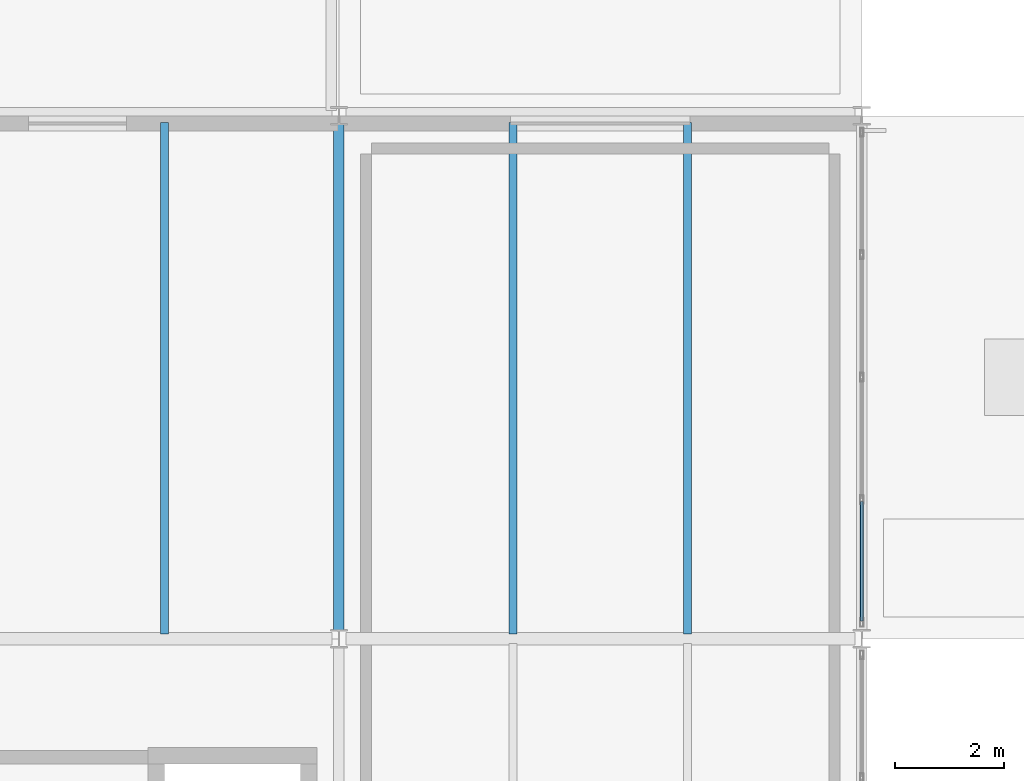
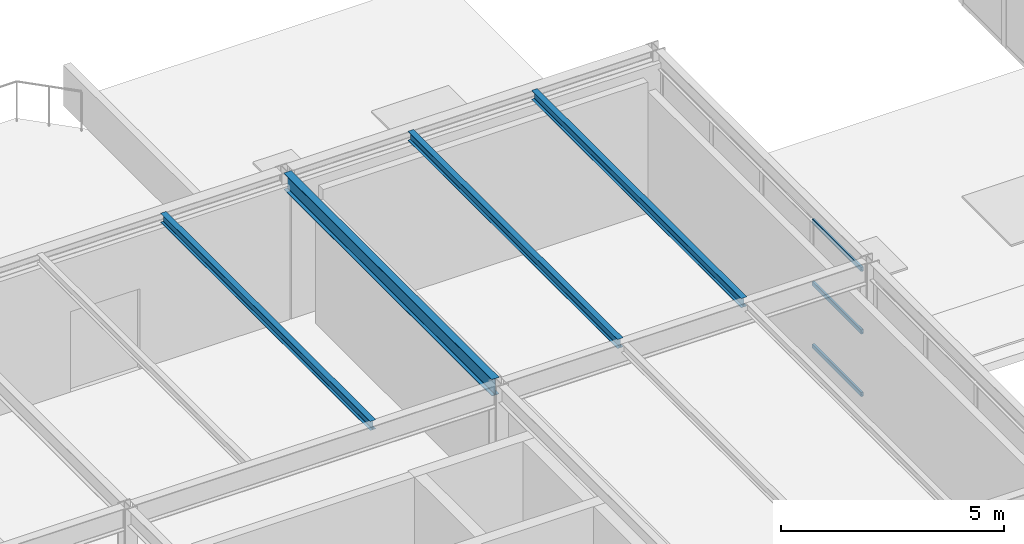
# One storey, part 36 of 126: 4 beams, 3 members, 1 element without a shape of its own.
"""IFC4 building model written with IfcOpenShell, lengths in metres."""

from ifc_helpers import new_model, si_unit, direction, frame, origin, origin_2d, place, context, subcontext, project, spatial, hollow_rectangle, i_section, extrude, material, material_profile, profile_set, type_object, element, aggregate, save


model = new_model("IFC4")

# Units and contexts
model_context = context("Model", 3, precision=1e-05, world=origin(), true_north=direction((0.0, 1.0)))
body_context = subcontext(model_context, "Body", "Model", "MODEL_VIEW")
ifc_project = project(units=[si_unit("LENGTHUNIT", "METRE"), si_unit("AREAUNIT", "SQUARE_METRE"), si_unit("VOLUMEUNIT", "CUBIC_METRE"), si_unit("PLANEANGLEUNIT", "RADIAN"), si_unit("MASSUNIT", "GRAM", prefix="KILO")], contexts=[model_context])

# Site, building, storey
site_placement = place(None, origin())
site = spatial("IfcSite", under=ifc_project, at=site_placement, CompositionType="ELEMENT")
building_placement = place(site_placement, origin())
building = spatial("IfcBuilding", under=site, at=building_placement, Name="Coralgate Yard Interchange", CompositionType="ELEMENT")
storey_placement = place(building_placement, frame((0.0, 0.0, 10.5)))
storey = spatial("IfcBuildingStorey", under=building, at=storey_placement, Name="L02", CompositionType="ELEMENT", Elevation=10.5)

# Beams
ifc_material_1 = material(Name="Structural steel S355J2", Category="steel")
ifc_material_profile_1 = material_profile(ifc_material_1, i_section(OverallWidth=0.1904296875, OverallDepth=0.45703125, WebThickness=0.009033203125, FlangeThickness=0.014404296875, FilletRadius=0.01025390625, at=origin_2d()), Name="UB 457x191x74")
ifc_profile_set_1 = profile_set([ifc_material_profile_1], Name="Structural steel S355J2")
beam_type_1 = type_object("IfcBeamType", Name="BM-SB-2", PredefinedType="BEAM", material=ifc_profile_set_1)
beam_placement = place(storey_placement, frame((19.199951171875, 38.539794921875, 3.721435546875), z_axis=(0.0, 1.0, 0.0), x_axis=(-1.0, 0.0, 0.0)))
element("IfcBeam", 1, at=beam_placement, inside=storey, type_object=beam_type_1, Name="L02 primary grid girder X2 Y4-5", PredefinedType="BEAM", context=body_context, shape_type="SweptSolid", body=[
    extrude(i_section(OverallWidth=0.1904296875, OverallDepth=0.45703125, WebThickness=0.009033203125, FlangeThickness=0.014404296875, FilletRadius=0.01025390625, at=origin_2d()), origin(), (0.0, 0.0, 1.0), 9.3203125),
])
ifc_material_profile_2 = material_profile(ifc_material_1, i_section(OverallWidth=0.14599609375, OverallDepth=0.25146484375, WebThickness=0.006103515625, FlangeThickness=0.008544921875, FilletRadius=0.007568359375, at=origin_2d()), Name="UB 254x146x31")
ifc_profile_set_2 = profile_set([ifc_material_profile_2], Name="Structural steel S355J2")
beam_type_2 = type_object("IfcBeamType", Name="BM-SJ-2", PredefinedType="JOIST", material=ifc_profile_set_2)
for number, where, z_axis, x_axis, name in (
    (2, (16.0, 38.484130859375, 3.82421875), (0.0, 1.0, 0.0), (-1.0, 0.0, 0.0), "L02 composite floor joist 1-4-2"),
    (3, (22.39990234375, 38.484130859375, 3.82421875), (0.0, 1.0, 0.0), (-1.0, 0.0, 0.0), "L02 composite floor joist 2-4-1"),
    (4, (25.60009765625, 38.484130859375, 3.82421875), (0.0, 1.0, 0.0), (-1.0, 0.0, 0.0), "L02 composite floor joist 2-4-2"),
):
    element("IfcBeam", number, at=place(storey_placement, frame(where, z_axis=z_axis, x_axis=x_axis)), inside=storey, type_object=beam_type_2, Name=name, PredefinedType="JOIST", context=body_context, shape_type="SweptSolid", body=[
        extrude(i_section(OverallWidth=0.14599609375, OverallDepth=0.25146484375, WebThickness=0.006103515625, FlangeThickness=0.008544921875, FilletRadius=0.007568359375, at=origin_2d()), origin(), (0.0, 0.0, 1.0), 9.395751953125),
    ])

# Curtain wall, members
ifc_material_2 = material(Name="Anodised coastal aluminium and solar-control low-E glass", Category="aluminium")
curtain_wall_type = type_object("IfcCurtainWallType", Name="CW-CW-L02-A", PredefinedType="NOTDEFINED", material=ifc_material_2)
curtain_wall_placement = place(storey_placement, origin())
curtain_wall = element("IfcCurtainWall", 5, at=curtain_wall_placement, inside=storey, type_object=curtain_wall_type, Name="L02 unitised curtain wall CW-L02-E-02-04", PredefinedType="NOTDEFINED")
ifc_material_3 = material(Name="Anodised coastal aluminium 6063-T6", Category="aluminium")
ifc_material_profile_3 = material_profile(ifc_material_3, hollow_rectangle(XDim=0.06005859375, YDim=0.1201171875, WallThickness=0.00341796875, InnerFilletRadius=0.00341796875, OuterFilletRadius=0.007080078125, at=origin_2d()), Name="ALU 60x120x3.5")
ifc_profile_set_3 = profile_set([ifc_material_profile_3], Name="Anodised coastal aluminium 6063-T6")
member_type = type_object("IfcMemberType", Name="MB-TRN-120", PredefinedType="USERDEFINED", material=ifc_profile_set_3)
member_1_placement = place(storey_placement, frame((28.800048828125, 40.919921875, 0.034912109375), z_axis=(0.0, -1.0, 0.0), x_axis=(1.0, 0.0, 0.0)))
member_1 = element("IfcMember", 6, at=member_1_placement, type_object=member_type, Name="CW-L02-E-02-04 horizontal transom 4-1", ObjectType="TRANSOM", PredefinedType="USERDEFINED", context=body_context, shape_type="SweptSolid", body=[
    extrude(hollow_rectangle(XDim=0.06005859375, YDim=0.1201171875, WallThickness=0.00341796875, InnerFilletRadius=0.00341796875, OuterFilletRadius=0.007080078125, at=origin_2d()), origin(), (0.0, 0.0, 1.0), 2.18994140625),
])
member_2_placement = place(storey_placement, frame((28.800048828125, 40.919921875, 1.74658203125), z_axis=(0.0, -1.0, 0.0), x_axis=(1.0, 0.0, 0.0)))
member_2 = element("IfcMember", 7, at=member_2_placement, type_object=member_type, Name="CW-L02-E-02-04 horizontal transom 4-2", ObjectType="TRANSOM", PredefinedType="USERDEFINED", context=body_context, shape_type="SweptSolid", body=[
    extrude(hollow_rectangle(XDim=0.06005859375, YDim=0.1201171875, WallThickness=0.00341796875, InnerFilletRadius=0.00341796875, OuterFilletRadius=0.007080078125, at=origin_2d()), origin(), (0.0, 0.0, 1.0), 2.18994140625),
])
member_3_placement = place(storey_placement, frame((28.800048828125, 40.919921875, 3.4580078125), z_axis=(0.0, -1.0, 0.0), x_axis=(1.0, 0.0, 0.0)))
member_3 = element("IfcMember", 8, at=member_3_placement, type_object=member_type, Name="CW-L02-E-02-04 horizontal transom 4-3", ObjectType="TRANSOM", PredefinedType="USERDEFINED", context=body_context, shape_type="SweptSolid", body=[
    extrude(hollow_rectangle(XDim=0.06005859375, YDim=0.1201171875, WallThickness=0.00341796875, InnerFilletRadius=0.00341796875, OuterFilletRadius=0.007080078125, at=origin_2d()), origin(), (0.0, 0.0, 1.0), 2.18994140625),
])
aggregate(curtain_wall, [member_1, member_2, member_3])

save(model, "model.ifc")
